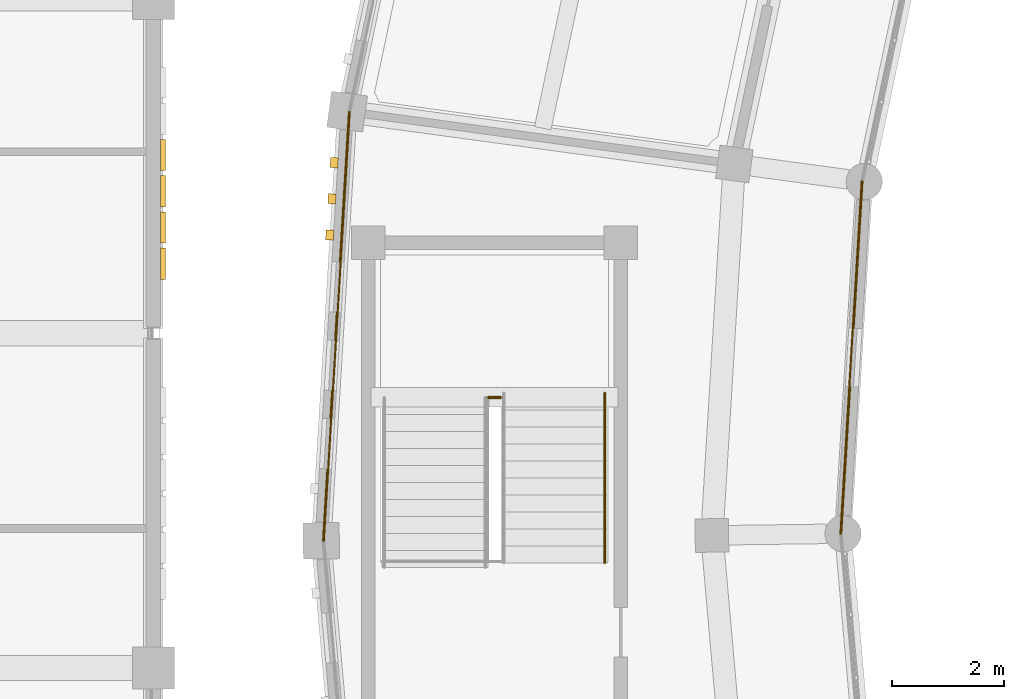
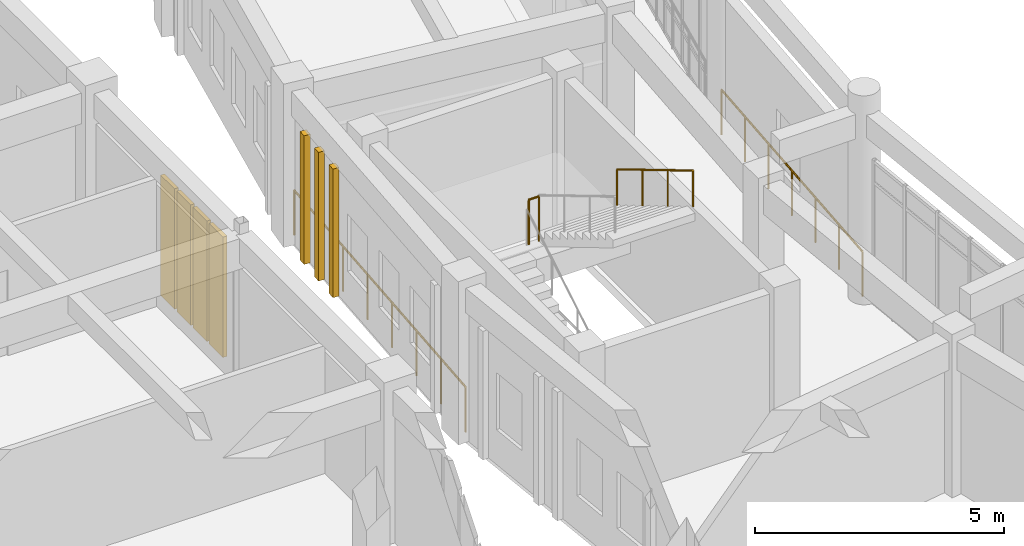
# One storey, part 144 of 159: 4 railings, 4 shading devices, 3 coverings.
"""IFC4 building model written with IfcOpenShell, lengths in metres."""

import ifcopenshell
import ifcopenshell.guid

model = None  # the IFC model being written
_history = None  # IfcOwnerHistory: only IFC2X3 demands one
_inside = {}  # id of a spatial element -> (the spatial element, [elements in it])
_under = {}  # id of a project, library or spatial element -> (it, [spatial elements below it])
_declared = {}  # id of a project -> (the project, [libraries it declares])
_typed = {}  # id of a type object -> (the type object, [elements of that type])
_made_of = {}  # id of a material, layer set ... -> (it, [elements and type objects made of it])


def new_model(schema):
    """Start an empty IFC model of exactly this schema.

    Asked for "IFC4X3", IfcOpenShell would pick the latest addendum, in which some entities
    have other attributes; the version numbers below select the first issue.
    IFC2X3 requires an IfcOwnerHistory on every rooted entity: one is made here for all.
    """
    global model, _history
    if schema == "IFC4X3":
        model = ifcopenshell.file(schema_version=(4, 3, 0, 0))
    else:
        model = ifcopenshell.file(schema=schema)
    _inside.clear()
    _under.clear()
    _declared.clear()
    _typed.clear()
    _made_of.clear()
    _history = None
    if model.schema == "IFC2X3":
        org = make("IfcOrganization", Name="unknown")
        user = make(
            "IfcPersonAndOrganization",
            ThePerson=make("IfcPerson", FamilyName="unknown"),
            TheOrganization=org,
        )
        app = make(
            "IfcApplication",
            ApplicationDeveloper=org,
            Version="unknown",
            ApplicationFullName="unknown",
            ApplicationIdentifier="unknown",
        )
        _history = make(
            "IfcOwnerHistory",
            OwningUser=user,
            OwningApplication=app,
            ChangeAction="ADDED",
            CreationDate=0,
        )
    return model


def make(cls, **values):
    """One entity of the class cls with the attributes given. An attribute that is None is left unset."""
    return model.create_entity(
        cls, **{name: value for name, value in values.items() if value is not None}
    )


def rooted(cls, **values):
    """An entity with a GlobalId (a new one), such as an element, a storey or a relation."""
    return make(cls, GlobalId=ifcopenshell.guid.new(), OwnerHistory=_history, **values)


def si_unit(unit_type, name, prefix=None):
    """IfcSIUnit, for example si_unit("LENGTHUNIT", "METRE", prefix="MILLI")."""
    return make("IfcSIUnit", UnitType=unit_type, Prefix=prefix, Name=name)


def assignment(units):
    """IfcUnitAssignment: the units of a project."""
    return None if units is None else make("IfcUnitAssignment", Units=units)


def point(xyz):
    """IfcCartesianPoint."""
    return None if xyz is None else make("IfcCartesianPoint", Coordinates=xyz)


def direction(xyz):
    """IfcDirection."""
    return None if xyz is None else make("IfcDirection", DirectionRatios=xyz)


def frame(location, z_axis=None, x_axis=None):
    """IfcAxis2Placement3D, a coordinate frame: its origin and axes. An axis left out is left unset."""
    return make(
        "IfcAxis2Placement3D",
        Location=point(location),
        Axis=direction(z_axis),
        RefDirection=direction(x_axis),
    )


def frame_2d(location, x_axis=None):
    """IfcAxis2Placement2D, a coordinate frame in the plane: its origin and x axis."""
    return make(
        "IfcAxis2Placement2D", Location=point(location), RefDirection=direction(x_axis)
    )


def origin():
    """The frame at (0, 0, 0) with its axes left unset."""
    return frame((0.0, 0.0, 0.0))


def origin_2d():
    """The frame at (0, 0) in the plane with its x axis left unset."""
    return frame_2d((0.0, 0.0))


def place(relative_to, where):
    """IfcLocalPlacement: puts the frame where relative to a parent placement (None: the world)."""
    return make(
        "IfcLocalPlacement", PlacementRelTo=relative_to, RelativePlacement=where
    )


def context(
    kind, dimensions, precision=None, world=None, true_north=None, identifier=None
):
    """IfcGeometricRepresentationContext, for example the 3D "Model" context."""
    return make(
        "IfcGeometricRepresentationContext",
        ContextIdentifier=identifier,
        ContextType=kind,
        CoordinateSpaceDimension=dimensions,
        Precision=precision,
        WorldCoordinateSystem=world,
        TrueNorth=true_north,
    )


def subcontext(parent, identifier, kind, view, scale=None):
    """IfcGeometricRepresentationSubContext, for example "Body" below "Model"."""
    return make(
        "IfcGeometricRepresentationSubContext",
        ContextIdentifier=identifier,
        ContextType=kind,
        ParentContext=parent,
        TargetScale=scale,
        TargetView=view,
    )


def project(units=None, contexts=None):
    """IfcProject with its units and contexts."""
    return rooted(
        "IfcProject",
        Name="project",
        RepresentationContexts=contexts,
        UnitsInContext=assignment(units),
    )


def spatial(cls, under=None, at=None, **own):
    """A site, building, storey or space (cls), placed at a placement, below another one or the project."""
    s = rooted(cls, ObjectPlacement=at, **own)
    if under is not None:
        _under.setdefault(under.id(), (under, []))[1].append(s)
    return s


def profile(cls, at=None, kind="AREA", **sizes):
    """A parametric profile (cls). Its sizes go by their IFC names, for example OverallWidth=200.0."""
    return make(cls, ProfileType=kind, Position=at, **sizes)


def rectangle(**sizes):
    """IfcRectangleProfileDef."""
    return profile("IfcRectangleProfileDef", **sizes)


def circle(**sizes):
    """IfcCircleProfileDef."""
    return profile("IfcCircleProfileDef", **sizes)


def extrude(swept, where, along, depth):
    """IfcExtrudedAreaSolid: the profile swept, set in the frame where, extruded along a direction by depth."""
    return make(
        "IfcExtrudedAreaSolid",
        SweptArea=swept,
        Position=where,
        ExtrudedDirection=direction(along),
        Depth=depth,
    )


def shape(context_of_items, identifier, shape_type, items):
    """IfcShapeRepresentation: the items that make up one representation, for example the "Body"."""
    return make(
        "IfcShapeRepresentation",
        ContextOfItems=context_of_items,
        RepresentationIdentifier=identifier,
        RepresentationType=shape_type,
        Items=items,
    )


def material(Name=None, Category=None):
    """IfcMaterial."""
    return make("IfcMaterial", Name=Name, Category=Category)


def layer(
    of_material, thickness, ventilated=None, Name=None, Category=None, Priority=None
):
    """IfcMaterialLayer: one layer of a wall or slab, of a material (None: an air gap)."""
    return make(
        "IfcMaterialLayer",
        Material=of_material,
        LayerThickness=thickness,
        IsVentilated=ventilated,
        Name=Name,
        Category=Category,
        Priority=Priority,
    )


def layer_set(layers, Name=None):
    """IfcMaterialLayerSet."""
    return make("IfcMaterialLayerSet", MaterialLayers=layers, LayerSetName=Name)


def made_of(thing, what):
    """Note that an element or type object is made of a material, layer set ...; save() writes the relation."""
    if what is not None:
        _made_of.setdefault(what.id(), (what, []))[1].append(thing)
    return thing


def type_object(cls, material=None, **own):
    """A type object (cls), such as IfcWallType, which elements share."""
    return made_of(rooted(cls, **own), material)


def element(
    cls,
    number,
    at=None,
    inside=None,
    cuts=None,
    type_object=None,
    material=None,
    context=None,
    identifier="Body",
    shape_type=None,
    held_by="IfcProductDefinitionShape",
    body=None,
    shapes=None,
    **own,
):
    """One element of the class cls, such as IfcWall. Its Tag is "e" and its number.

    at: its placement. inside: the storey or other place that contains it. cuts: it is an
    opening in that element (IfcRelVoidsElement). A single representation is given by context,
    identifier, shape_type and body (its items); several are given by shapes. held_by: the class
    of the entity that holds the representations. save() writes the other relations.
    """
    e = rooted(cls, Tag="e%d" % number, ObjectPlacement=at, **own)
    if body is not None:
        shapes = [shape(context, identifier, shape_type, body)]
    if shapes is not None:
        e.Representation = make(held_by, Representations=shapes)
    if inside is not None:
        _inside.setdefault(inside.id(), (inside, []))[1].append(e)
    if cuts is not None:
        rooted(
            "IfcRelVoidsElement", RelatingBuildingElement=cuts, RelatedOpeningElement=e
        )
    if type_object is not None:
        _typed.setdefault(type_object.id(), (type_object, []))[1].append(e)
    return made_of(e, material)


def aggregate(whole, parts):
    """IfcRelAggregates: a whole, such as a stair, and the parts it consists of."""
    return rooted("IfcRelAggregates", RelatingObject=whole, RelatedObjects=parts)


def save(model, path):
    """Write the relations noted so far, then the file.

    IfcRelAggregates (storeys below a building ...), IfcRelContainedInSpatialStructure (elements
    in a storey), IfcRelDefinesByType, IfcRelAssociatesMaterial and IfcRelDeclares: one each for
    every whole, place, type object, material and project.
    """
    for whole, parts in _under.values():
        aggregate(whole, parts)
    for where, things in _inside.values():
        rooted(
            "IfcRelContainedInSpatialStructure",
            RelatedElements=things,
            RelatingStructure=where,
        )
    for kind, things in _typed.values():
        rooted("IfcRelDefinesByType", RelatedObjects=things, RelatingType=kind)
    for what, things in _made_of.values():
        rooted("IfcRelAssociatesMaterial", RelatedObjects=things, RelatingMaterial=what)
    for by, libraries in _declared.values():
        rooted("IfcRelDeclares", RelatingContext=by, RelatedDefinitions=libraries)
    model.write(path)


model = new_model("IFC4")

# Units and contexts
model_context = context("Model", 3, precision=1e-05, world=origin(), true_north=direction((0.0, 1.0)))
body_context = subcontext(model_context, "Body", "Model", "MODEL_VIEW")
ifc_project = project(units=[si_unit("LENGTHUNIT", "METRE"), si_unit("AREAUNIT", "SQUARE_METRE"), si_unit("VOLUMEUNIT", "CUBIC_METRE"), si_unit("PLANEANGLEUNIT", "RADIAN"), si_unit("MASSUNIT", "GRAM", prefix="KILO")], contexts=[model_context])

# Site, building, storey
site_placement = place(None, origin())
site = spatial("IfcSite", under=ifc_project, at=site_placement, CompositionType="ELEMENT")
building_placement = place(site_placement, origin())
building = spatial("IfcBuilding", under=site, at=building_placement, Name="Celadon Cloister-Ring School", CompositionType="ELEMENT")
storey_placement = place(building_placement, frame((0.0, 0.0, 4.5)))
storey = spatial("IfcBuildingStorey", under=building, at=storey_placement, Name="L01", CompositionType="ELEMENT", Elevation=4.5)

# Coverings
ifc_material_1 = material(Name="Perforated terracotta clay brick masonry", Category="masonry")
ifc_layer = layer(ifc_material_1, 0.139892578125)
ifc_layer_set = layer_set([ifc_layer], Name="Perforated terracotta clay brick masonry")
covering_type = type_object("IfcCoveringType", Name="CV-SC1", PredefinedType="CLADDING", material=ifc_layer_set)
for number, where, z_axis, x_axis, name in (
    (1, (35.157958984375, 63.759033203125, 0.0), (0.0, 0.0, 1.0), (0.06028200911, 0.99818138601, 0.0), "Brick Screen Rib 0141"),
    (2, (35.197021484375, 64.407958984375, 0.0), (0.0, 0.0, 1.0), (0.06028200911, 0.99818138601, 0.0), "Brick Screen Rib 0142"),
    (3, (35.237060546875, 65.055908203125, 0.0), (0.0, 0.0, 1.0), (0.06028200911, 0.99818138601, 0.0), "Brick Screen Rib 0143"),
):
    element("IfcCovering", number, at=place(storey_placement, frame(where, z_axis=z_axis, x_axis=x_axis)), inside=storey, type_object=covering_type, Name=name, PredefinedType="CLADDING", context=body_context, shape_type="SweptSolid", body=[
        extrude(rectangle(XDim=0.179931640625, YDim=0.139892578125, at=origin_2d()), origin(), (0.0, 0.0, 1.0), 3.152099609375),
    ])

# Railings
ifc_material_2 = material(Name="Structural steel S355JR", Category="steel")
railing_type_1 = type_object("IfcRailingType", Name="RL-BL1", PredefinedType="BALUSTRADE", material=ifc_material_2)
railing_1_placement = place(storey_placement, frame((35.509033203125, 65.966064453125, 0.0)))
element("IfcRailing", 4, at=railing_1_placement, inside=storey, type_object=railing_type_1, Name="Terrace Balustrade 0007", PredefinedType="BALUSTRADE", context=body_context, shape_type="SweptSolid", body=[
    extrude(circle(Radius=0.02392578125, at=origin_2d()), frame((0.0, 0.0, 1.09619140625), z_axis=(-0.060289190769, -0.998180952271, 0.0), x_axis=(0.998180952271, -0.060289190769, 0.0)), (0.0, 0.0, 1.0), 7.697998046875),
    extrude(circle(Radius=0.02099609375, at=origin_2d()), origin(), (0.0, 0.0, 1.0), 1.072021484375),
    extrude(circle(Radius=0.02099609375, at=origin_2d()), frame((-0.06640625, -1.09765625, 0.0)), (0.0, 0.0, 1.0), 1.072021484375),
    extrude(circle(Radius=0.02099609375, at=origin_2d()), frame((-0.132568359375, -2.195556640625, 0.0)), (0.0, 0.0, 1.0), 1.072021484375),
    extrude(circle(Radius=0.02099609375, at=origin_2d()), frame((-0.198974609375, -3.293212890625, 0.0)), (0.0, 0.0, 1.0), 1.072021484375),
    extrude(circle(Radius=0.02099609375, at=origin_2d()), frame((-0.26513671875, -4.390869140625, 0.0)), (0.0, 0.0, 1.0), 1.072021484375),
    extrude(circle(Radius=0.02099609375, at=origin_2d()), frame((-0.33154296875, -5.488525390625, 0.0)), (0.0, 0.0, 1.0), 1.072021484375),
    extrude(circle(Radius=0.02099609375, at=origin_2d()), frame((-0.397705078125, -6.58642578125, 0.0)), (0.0, 0.0, 1.0), 1.072021484375),
    extrude(circle(Radius=0.02099609375, at=origin_2d()), frame((-0.464111328125, -7.68408203125, 0.0)), (0.0, 0.0, 1.0), 1.072021484375),
])
railing_2_placement = place(storey_placement, frame((44.695068359375, 64.722900390625, 0.0)))
element("IfcRailing", 5, at=railing_2_placement, inside=storey, type_object=railing_type_1, Name="Terrace Balustrade 0042", PredefinedType="BALUSTRADE", context=body_context, shape_type="SweptSolid", body=[
    extrude(circle(Radius=0.02392578125, at=origin_2d()), frame((0.0, 0.0, 1.09619140625), z_axis=(-0.060258464025, -0.998182807663, 0.0), x_axis=(0.998182807663, -0.060258464025, 0.0)), (0.0, 0.0, 1.0), 6.324462890625),
    extrude(circle(Radius=0.02099609375, at=origin_2d()), origin(), (0.0, 0.0, 1.0), 1.072021484375),
    extrude(circle(Radius=0.02099609375, at=origin_2d()), frame((-0.0634765625, -1.05224609375, 0.0)), (0.0, 0.0, 1.0), 1.072021484375),
    extrude(circle(Radius=0.02099609375, at=origin_2d()), frame((-0.126953125, -2.104248046875, 0.0)), (0.0, 0.0, 1.0), 1.072021484375),
    extrude(circle(Radius=0.02099609375, at=origin_2d()), frame((-0.1904296875, -3.156494140625, 0.0)), (0.0, 0.0, 1.0), 1.072021484375),
    extrude(circle(Radius=0.02099609375, at=origin_2d()), frame((-0.254150390625, -4.208740234375, 0.0)), (0.0, 0.0, 1.0), 1.072021484375),
    extrude(circle(Radius=0.02099609375, at=origin_2d()), frame((-0.317626953125, -5.2607421875, 0.0)), (0.0, 0.0, 1.0), 1.072021484375),
    extrude(circle(Radius=0.02099609375, at=origin_2d()), frame((-0.381103515625, -6.31298828125, 0.0)), (0.0, 0.0, 1.0), 1.072021484375),
])
ifc_material_3 = material(Name="Structural steel S355JR", Category="steel")
railing_type_2 = type_object("IfcRailingType", Name="RL-BL2", PredefinedType="BALUSTRADE", material=ifc_material_3)
railing_3_placement = place(storey_placement, frame((37.989990234375, 60.85009765625, 2.0)))
element("IfcRailing", 6, at=railing_3_placement, inside=storey, type_object=railing_type_2, Name="Interior Guard 0241", PredefinedType="BALUSTRADE", context=body_context, shape_type="SweptSolid", body=[
    extrude(circle(Radius=0.02392578125, at=origin_2d()), frame((0.0, 0.0, 1.09619140625), z_axis=(1.0, 0.0, 0.0), x_axis=(0.0, 1.0, 0.0)), (0.0, 0.0, 1.0), 0.239990234375),
    extrude(circle(Radius=0.02099609375, at=origin_2d()), origin(), (0.0, 0.0, 1.0), 1.072021484375),
    extrude(circle(Radius=0.02099609375, at=origin_2d()), frame((0.239990234375, 0.0, 0.0)), (0.0, 0.0, 1.0), 1.072021484375),
])
ifc_material_4 = material(Name="Structural steel S355JR", Category="steel")
railing_type_3 = type_object("IfcRailingType", Name="RL-HR1", PredefinedType="HANDRAIL", material=ifc_material_4)
railing_4_placement = place(storey_placement, frame((40.0849609375, 60.929931640625, 2.181884765625)))
element("IfcRailing", 7, at=railing_4_placement, inside=storey, type_object=railing_type_3, Name="Stair Handrail 0240", PredefinedType="HANDRAIL", context=body_context, shape_type="SweptSolid", body=[
    extrude(circle(Radius=0.02099609375, at=origin_2d()), frame((0.0, 0.0, 0.87890625), z_axis=(0.0, -0.858969654429, 0.51202649616), x_axis=(1.0, 0.0, 0.0)), (0.0, 0.0, 1.0), 3.55078125),
    extrude(circle(Radius=0.01806640625, at=origin_2d()), origin(), (0.0, 0.0, 1.0), 0.85791015625),
    extrude(circle(Radius=0.01806640625, at=origin_2d()), frame((0.0, -1.0166015625, 0.60595703125)), (0.0, 0.0, 1.0), 0.85791015625),
    extrude(circle(Radius=0.01806640625, at=origin_2d()), frame((0.0, -2.033447265625, 1.212158203125)), (0.0, 0.0, 1.0), 0.85791015625),
    extrude(circle(Radius=0.01806640625, at=origin_2d()), frame((0.0, -3.050048828125, 1.818115234375)), (0.0, 0.0, 1.0), 0.85791015625),
])

# Shading devices
ifc_material_5 = material(Name="Glazed celadon architectural terracotta", Category="masonry")
shading_device_type = type_object("IfcShadingDeviceType", Name="SD-01", PredefinedType="USERDEFINED", material=ifc_material_5)
for number, where, z_axis, x_axis, name in (
    (8, (32.172119140625, 65.193115234375, 0.0), (0.0, 0.0, 1.0), (0.0, -1.0, 0.0), "Celadon Sunshade Screen 0127"),
    (9, (32.172119140625, 64.54296875, 0.0), (0.0, 0.0, 1.0), (0.0, -1.0, 0.0), "Celadon Sunshade Screen 0128"),
    (10, (32.172119140625, 63.89306640625, 0.0), (0.0, 0.0, 1.0), (0.0, -1.0, 0.0), "Celadon Sunshade Screen 0129"),
    (11, (32.172119140625, 63.242919921875, 0.0), (0.0, 0.0, 1.0), (0.0, -1.0, 0.0), "Celadon Sunshade Screen 0130"),
):
    element("IfcShadingDevice", number, at=place(storey_placement, frame(where, z_axis=z_axis, x_axis=x_axis)), inside=storey, type_object=shading_device_type, Name=name, ObjectType="SUNSHADE", PredefinedType="USERDEFINED", context=body_context, shape_type="SweptSolid", body=[
        extrude(rectangle(XDim=0.56005859375, YDim=0.090087890625, at=origin_2d()), origin(), (0.0, 0.0, 1.0), 2.949951171875),
    ])

save(model, "model.ifc")
